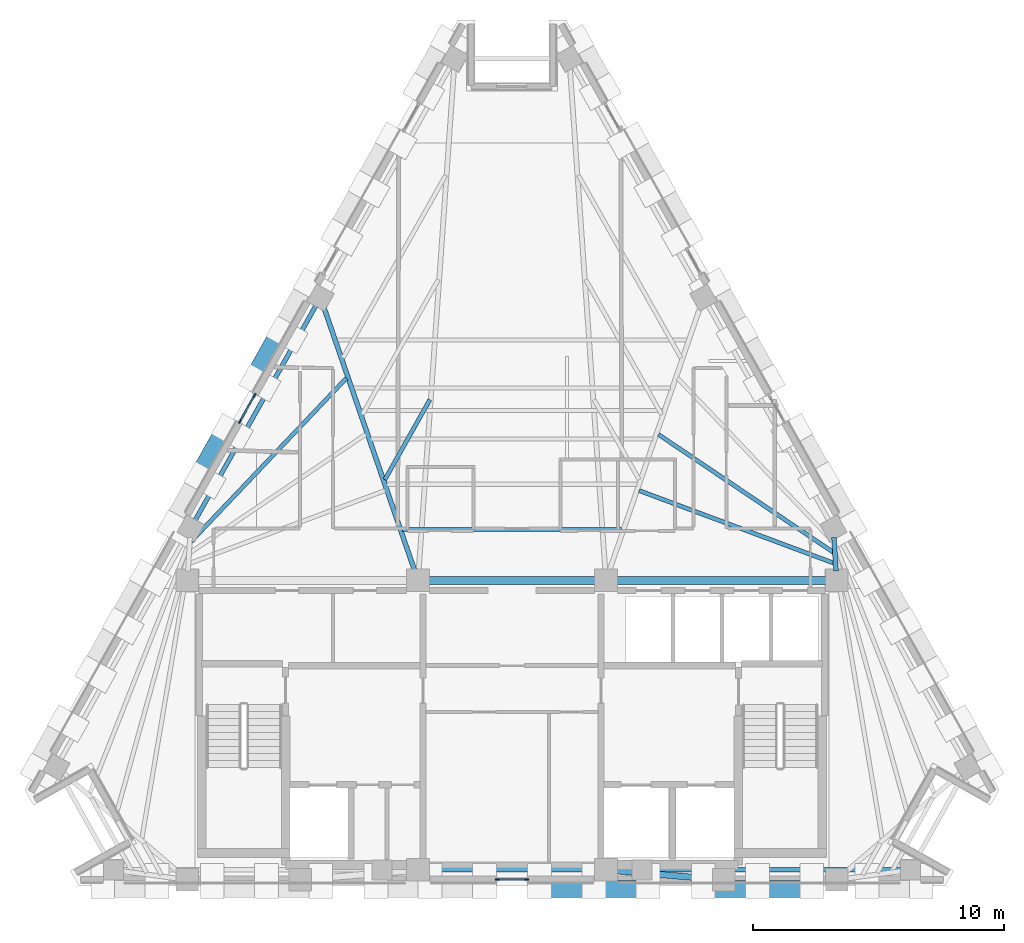
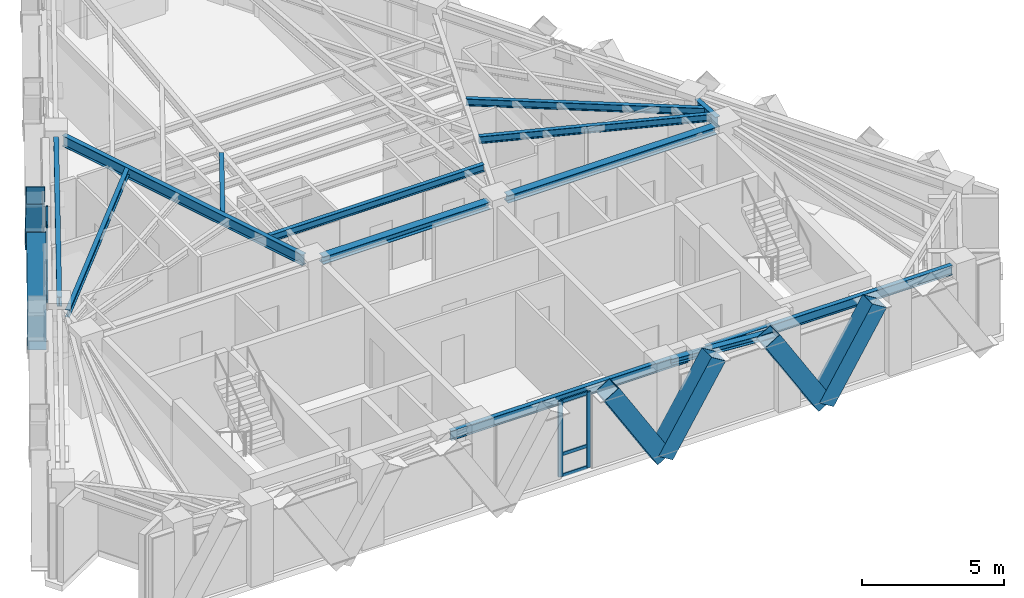
# One storey, part 2 of 9: 16 members, 13 beams, 2 elements without a shape of their own.
"""IFC4 building model written with IfcOpenShell, lengths in metres."""

from ifc_helpers import new_model, si_unit, direction, frame, origin, origin_2d, place, context, subcontext, project, spatial, rectangle, hollow_rectangle, i_section, extrude, material, material_profile, profile_set, type_object, element, aggregate, save


model = new_model("IFC4")

# Units and contexts
model_context = context("Model", 3, precision=1e-05, world=origin(), true_north=direction((0.0, 1.0)))
body_context = subcontext(model_context, "Body", "Model", "MODEL_VIEW")
ifc_project = project(units=[si_unit("LENGTHUNIT", "METRE"), si_unit("AREAUNIT", "SQUARE_METRE"), si_unit("VOLUMEUNIT", "CUBIC_METRE"), si_unit("PLANEANGLEUNIT", "RADIAN"), si_unit("MASSUNIT", "GRAM", prefix="KILO")], contexts=[model_context])

# Site, building, storey
site_placement = place(None, origin())
site = spatial("IfcSite", under=ifc_project, at=site_placement, CompositionType="ELEMENT")
building_placement = place(site_placement, origin())
building = spatial("IfcBuilding", under=site, at=building_placement, Name="Quenlor Broadcast Tower", CompositionType="ELEMENT")
storey_placement = place(building_placement, frame((0.0, 0.0, 239.39990234375)))
storey = spatial("IfcBuildingStorey", under=building, at=storey_placement, Name="L66", CompositionType="ELEMENT", Elevation=239.39990234375)

# Curtain wall, members
ifc_material_1 = material(Name="Architectural Terracotta and Low-E Glazing", Category="masonry")
curtain_wall_type = type_object("IfcCurtainWallType", Name="Unitised Terracotta Curtain Wall System Z5", PredefinedType="NOTDEFINED", material=ifc_material_1)
curtain_wall_1_placement = place(storey_placement, origin())
curtain_wall_1 = element("IfcCurtainWall", 1, at=curtain_wall_1_placement, inside=storey, type_object=curtain_wall_type, Name="L66 Curtain Wall CW5 (L66-S-G1)", PredefinedType="NOTDEFINED")
ifc_material_2 = material(Name="Aluminium 6063-T6", Category="aluminium")
ifc_material_profile_1 = material_profile(ifc_material_2, rectangle(XDim=0.06494140625, YDim=0.169921875, at=origin_2d()))
ifc_profile_set_1 = profile_set([ifc_material_profile_1], Name="Aluminium 6063-T6 MULL65x170")
member_type_1 = type_object("IfcMemberType", Name="CW5 Aluminium Mullion MULL_CW5", PredefinedType="MULLION", material=ifc_profile_set_1)
member_1_placement = place(storey_placement, frame((0.573974609375, -16.72509765625, 0.0), z_axis=(0.0, 0.0, 1.0), x_axis=(0.0, -1.0, 0.0)))
member_1 = element("IfcMember", 2, at=member_1_placement, type_object=member_type_1, Name="CW5 mullion 1", PredefinedType="MULLION", context=body_context, shape_type="SweptSolid", body=[
    extrude(rectangle(XDim=0.06494140625, YDim=0.169921875, at=origin_2d()), origin(), (0.0, 0.0, 1.0), 3.25),
])
member_2_placement = place(storey_placement, frame((-0.573974609375, -16.72509765625, 0.0), z_axis=(0.0, 0.0, 1.0), x_axis=(0.0, -1.0, 0.0)))
member_2 = element("IfcMember", 3, at=member_2_placement, type_object=member_type_1, Name="CW5 mullion 2", PredefinedType="MULLION", context=body_context, shape_type="SweptSolid", body=[
    extrude(rectangle(XDim=0.06494140625, YDim=0.169921875, at=origin_2d()), origin(), (0.0, 0.0, 1.0), 3.25),
])

curtain_wall_2_placement = place(storey_placement, origin())
curtain_wall_2 = element("IfcCurtainWall", 4, at=curtain_wall_2_placement, inside=storey, type_object=curtain_wall_type, Name="L66 Curtain Wall CW5 (L66-NW-G1)", PredefinedType="NOTDEFINED")
member_3_placement = place(storey_placement, frame((-10.853271484375, 1.54443359375, 0.0), z_axis=(0.0, 0.0, 1.0), x_axis=(-0.871592489955, 0.490231100048, 0.0)))
member_3 = element("IfcMember", 5, at=member_3_placement, type_object=member_type_1, Name="CW5 mullion 1", PredefinedType="MULLION", context=body_context, shape_type="SweptSolid", body=[
    extrude(rectangle(XDim=0.06494140625, YDim=0.169921875, at=origin_2d()), origin(), (0.0, 0.0, 1.0), 3.25),
])
member_4_placement = place(storey_placement, frame((-10.267333984375, 2.586181640625, 0.0), z_axis=(0.0, 0.0, 1.0), x_axis=(-0.871592489955, 0.490231100048, 0.0)))
member_4 = element("IfcMember", 6, at=member_4_placement, type_object=member_type_1, Name="CW5 mullion 2", PredefinedType="MULLION", context=body_context, shape_type="SweptSolid", body=[
    extrude(rectangle(XDim=0.06494140625, YDim=0.169921875, at=origin_2d()), origin(), (0.0, 0.0, 1.0), 3.25),
])

# Member
ifc_material_3 = material(Name="Aluminium 6063-T6", Category="aluminium")
ifc_material_profile_2 = material_profile(ifc_material_3, rectangle(XDim=0.06494140625, YDim=0.139892578125, at=origin_2d()))
ifc_profile_set_2 = profile_set([ifc_material_profile_2], Name="Aluminium 6063-T6 TRAN65x140")
member_type_2 = type_object("IfcMemberType", Name="CW5 Aluminium Transom TRAN_CW5", PredefinedType="USERDEFINED", material=ifc_profile_set_2)
member_5_placement = place(storey_placement, frame((0.54150390625, -16.72509765625, 0.03271484375), z_axis=(-1.0, 0.0, 0.0), x_axis=(0.0, -1.0, 0.0)))
member_5 = element("IfcMember", 7, at=member_5_placement, type_object=member_type_2, Name="CW5 transom 1.1", ObjectType="TRANSOM", PredefinedType="USERDEFINED", context=body_context, shape_type="SweptSolid", body=[
    extrude(rectangle(XDim=0.06494140625, YDim=0.139892578125, at=origin_2d()), origin(), (0.0, 0.0, 1.0), 1.0830078125),
])

member_6_placement = place(storey_placement, frame((0.54150390625, -16.72509765625, 0.9501953125), z_axis=(-1.0, 0.0, 0.0), x_axis=(0.0, -1.0, 0.0)))
member_6 = element("IfcMember", 8, at=member_6_placement, type_object=member_type_2, Name="CW5 transom 1.2", ObjectType="TRANSOM", PredefinedType="USERDEFINED", context=body_context, shape_type="SweptSolid", body=[
    extrude(rectangle(XDim=0.06494140625, YDim=0.139892578125, at=origin_2d()), origin(), (0.0, 0.0, 1.0), 1.0830078125),
])

member_7_placement = place(storey_placement, frame((0.54150390625, -16.72509765625, 3.217529296875), z_axis=(-1.0, 0.0, 0.0), x_axis=(0.0, -1.0, 0.0)))
member_7 = element("IfcMember", 9, at=member_7_placement, type_object=member_type_2, Name="CW5 transom 1.3", ObjectType="TRANSOM", PredefinedType="USERDEFINED", context=body_context, shape_type="SweptSolid", body=[
    extrude(rectangle(XDim=0.06494140625, YDim=0.139892578125, at=origin_2d()), origin(), (0.0, 0.0, 1.0), 1.0830078125),
])

aggregate(curtain_wall_1, [member_1, member_2, member_5, member_6, member_7])

member_8_placement = place(storey_placement, frame((-10.83740234375, 1.57275390625, 0.03271484375), z_axis=(0.490312513966, 0.871546693327, 0.0), x_axis=(-0.871546693327, 0.490312513966, 0.0)))
member_8 = element("IfcMember", 10, at=member_8_placement, type_object=member_type_2, Name="CW5 transom 1.1", ObjectType="TRANSOM", PredefinedType="USERDEFINED", context=body_context, shape_type="SweptSolid", body=[
    extrude(rectangle(XDim=0.06494140625, YDim=0.139892578125, at=origin_2d()), origin(), (0.0, 0.0, 1.0), 1.13037109375),
])

member_9_placement = place(storey_placement, frame((-10.83740234375, 1.57275390625, 0.9501953125), z_axis=(0.490312513966, 0.871546693327, 0.0), x_axis=(-0.871546693327, 0.490312513966, 0.0)))
member_9 = element("IfcMember", 11, at=member_9_placement, type_object=member_type_2, Name="CW5 transom 1.2", ObjectType="TRANSOM", PredefinedType="USERDEFINED", context=body_context, shape_type="SweptSolid", body=[
    extrude(rectangle(XDim=0.06494140625, YDim=0.139892578125, at=origin_2d()), origin(), (0.0, 0.0, 1.0), 1.13037109375),
])

member_10_placement = place(storey_placement, frame((-10.83740234375, 1.57275390625, 3.217529296875), z_axis=(0.490312513966, 0.871546693327, 0.0), x_axis=(-0.871546693327, 0.490312513966, 0.0)))
member_10 = element("IfcMember", 12, at=member_10_placement, type_object=member_type_2, Name="CW5 transom 1.3", ObjectType="TRANSOM", PredefinedType="USERDEFINED", context=body_context, shape_type="SweptSolid", body=[
    extrude(rectangle(XDim=0.06494140625, YDim=0.139892578125, at=origin_2d()), origin(), (0.0, 0.0, 1.0), 1.13037109375),
])

aggregate(curtain_wall_2, [member_3, member_4, member_8, member_9, member_10])

# Beams
ifc_material_4 = material(Name="Steel S355", Category="steel")
ifc_material_profile_3 = material_profile(ifc_material_4, i_section(OverallWidth=0.304931640625, OverallDepth=0.30810546875, WebThickness=0.010009765625, FlangeThickness=0.015380859375, FilletRadius=0.0166015625, at=origin_2d()))
ifc_profile_set_3 = profile_set([ifc_material_profile_3], Name="Steel S355 310UC96.8")
beam_type_1 = type_object("IfcBeamType", Name="Core Header Beam Steel S355 310UC96.8", PredefinedType="BEAM", material=ifc_profile_set_3)
beam_1_placement = place(storey_placement, frame((-3.389892578125, -4.800048828125, 3.09619140625), z_axis=(1.0, 0.0, 0.0), x_axis=(0.0, 1.0, 0.0)))
element("IfcBeam", 13, at=beam_1_placement, inside=storey, type_object=beam_type_1, Name="L66 Core Header Beam 2", PredefinedType="BEAM", context=body_context, shape_type="SweptSolid", body=[
    extrude(i_section(OverallWidth=0.304931640625, OverallDepth=0.30810546875, WebThickness=0.010009765625, FlangeThickness=0.015380859375, FilletRadius=0.0166015625, at=origin_2d()), origin(), (0.0, 0.0, 1.0), 6.77978515625),
])
ifc_material_5 = material(Name="Steel S355", Category="steel")
ifc_material_profile_4 = material_profile(ifc_material_5, i_section(OverallWidth=0.25390625, OverallDepth=0.25390625, WebThickness=0.008544921875, FlangeThickness=0.01416015625, FilletRadius=0.013916015625, at=origin_2d()))
ifc_profile_set_4 = profile_set([ifc_material_profile_4], Name="Steel S355 250UC72.9")
beam_type_2 = type_object("IfcBeamType", Name="Core Opening Lintel Beam Steel S355 250UC72.9", PredefinedType="LINTEL", material=ifc_profile_set_4)
beam_2_placement = place(storey_placement, frame((4.108642578125, -16.380615234375, 3.123291015625), z_axis=(0.996399763903, -0.084779186679, 0.0), x_axis=(0.084779186679, 0.996399763903, 0.0)))
element("IfcBeam", 14, at=beam_2_placement, inside=storey, type_object=beam_type_2, Name="L66 Core Opening Lintel Beam 5", PredefinedType="LINTEL", context=body_context, shape_type="SweptSolid", body=[
    extrude(i_section(OverallWidth=0.25390625, OverallDepth=0.25390625, WebThickness=0.008544921875, FlangeThickness=0.01416015625, FilletRadius=0.013916015625, at=origin_2d()), origin(), (0.0, 0.0, 1.0), 3.9970703125),
])
ifc_material_6 = material(Name="Steel S355", Category="steel")
ifc_material_profile_5 = material_profile(ifc_material_6, i_section(OverallWidth=0.306884765625, OverallDepth=0.314697265625, WebThickness=0.011962890625, FlangeThickness=0.018798828125, FilletRadius=0.0166015625, at=origin_2d()))
ifc_profile_set_5 = profile_set([ifc_material_profile_5], Name="Steel S355 310UC118")
beam_type_3 = type_object("IfcBeamType", Name="Core Tie Beam Steel S355 310UC118", PredefinedType="BEAM", material=ifc_profile_set_5)
beam_3_placement = place(storey_placement, frame((4.110107421875, -4.800048828125, 3.0927734375), z_axis=(1.0, 0.0, 0.0), x_axis=(0.0, 1.0, 0.0)))
element("IfcBeam", 15, at=beam_3_placement, inside=storey, type_object=beam_type_3, Name="L66 Core Tie Beam 3", PredefinedType="BEAM", context=body_context, shape_type="SweptSolid", body=[
    extrude(i_section(OverallWidth=0.306884765625, OverallDepth=0.314697265625, WebThickness=0.011962890625, FlangeThickness=0.018798828125, FilletRadius=0.0166015625, at=origin_2d()), origin(), (0.0, 0.0, 1.0), 8.47998046875),
])

# Members
ifc_material_7 = material(Name="Steel S355", Category="steel")
ifc_material_profile_6 = material_profile(ifc_material_7, hollow_rectangle(XDim=0.679931640625, YDim=0.679931640625, WallThickness=0.02001953125, at=origin_2d()))
ifc_profile_set_6 = profile_set([ifc_material_profile_6], Name="Steel S355 RHS680x680x20")
member_type_3 = type_object("IfcMemberType", Name="Perimeter Diagonal Lattice Brace Z5-Crown Steel S355 RHS680x20", PredefinedType="BRACE", material=ifc_profile_set_6)
member_11_placement = place(storey_placement, frame((9.81103515625, -17.1201171875, -0.119873046875), z_axis=(0.5236596973, 0.0, 0.851927532965), x_axis=(0.0, 1.0, 0.0)))
element("IfcMember", 16, at=member_11_placement, inside=storey, type_object=member_type_3, Name="L66 Perimeter Diamond Lattice S-C1B", PredefinedType="BRACE", context=body_context, shape_type="SweptSolid", body=[
    extrude(hollow_rectangle(XDim=0.679931640625, YDim=0.679931640625, WallThickness=0.02001953125, at=origin_2d()), origin(), (0.0, 0.0, 1.0), 4.1083984375),
])
member_12_placement = place(storey_placement, frame((9.784912109375, -17.1201171875, -0.119873046875), z_axis=(-0.523616565236, 0.0, 0.85195404372), x_axis=(0.0, -1.0, 0.0)))
element("IfcMember", 17, at=member_12_placement, inside=storey, type_object=member_type_3, Name="L66 Perimeter Diamond Lattice S-C2S", PredefinedType="BRACE", context=body_context, shape_type="SweptSolid", body=[
    extrude(hollow_rectangle(XDim=0.679931640625, YDim=0.679931640625, WallThickness=0.02001953125, at=origin_2d()), origin(), (0.0, 0.0, 1.0), 4.108154296875),
])
member_13_placement = place(storey_placement, frame((3.279052734375, -17.1201171875, -0.119873046875), z_axis=(0.5236596973, 0.0, 0.851927532965), x_axis=(0.0, 1.0, 0.0)))
element("IfcMember", 18, at=member_13_placement, inside=storey, type_object=member_type_3, Name="L66 Perimeter Diamond Lattice S-C2B", PredefinedType="BRACE", context=body_context, shape_type="SweptSolid", body=[
    extrude(hollow_rectangle(XDim=0.679931640625, YDim=0.679931640625, WallThickness=0.02001953125, at=origin_2d()), origin(), (0.0, 0.0, 1.0), 4.1083984375),
])
member_14_placement = place(storey_placement, frame((3.2529296875, -17.1201171875, -0.119873046875), z_axis=(-0.523616565236, 0.0, 0.85195404372), x_axis=(0.0, -1.0, 0.0)))
element("IfcMember", 19, at=member_14_placement, inside=storey, type_object=member_type_3, Name="L66 Perimeter Diamond Lattice S-C3S", PredefinedType="BRACE", context=body_context, shape_type="SweptSolid", body=[
    extrude(hollow_rectangle(XDim=0.679931640625, YDim=0.679931640625, WallThickness=0.02001953125, at=origin_2d()), origin(), (0.0, 0.0, 1.0), 4.108154296875),
])
for number, where, z_axis, x_axis, name in (
    (20, (-12.532958984375, -0.635986328125, -0.119873046875), (0.260618804175, 0.463276364439, 0.847025884529), (-0.8715547569, 0.490298180422, 0.0), "L66 Perimeter Diamond Lattice NW-C3S"),
    (21, (-9.2763671875, 5.153564453125, -0.119873046875), (-0.260563732169, -0.463283497491, 0.847038926161), (0.871602253711, -0.49021374045, 0.0), "L66 Perimeter Diamond Lattice NW-C3B"),
):
    element("IfcMember", number, at=place(storey_placement, frame(where, z_axis=z_axis, x_axis=x_axis)), inside=storey, type_object=member_type_3, Name=name, PredefinedType="BRACE", context=body_context, shape_type="SweptSolid", body=[
        extrude(hollow_rectangle(XDim=0.679931640625, YDim=0.679931640625, WallThickness=0.02001953125, at=origin_2d()), origin(), (0.0, 0.0, 1.0), 4.132080078125),
    ])

# Beams
ifc_material_8 = material(Name="Steel S355", Category="steel")
ifc_material_profile_7 = material_profile(ifc_material_8, i_section(OverallWidth=0.177978515625, OverallDepth=0.406494140625, WebThickness=0.0078125, FlangeThickness=0.0126953125, FilletRadius=0.011474609375, at=origin_2d()))
ifc_profile_set_7 = profile_set([ifc_material_profile_7], Name="Steel S355 410UB59.7")
beam_type_4 = type_object("IfcBeamType", Name="Perimeter Spandrel Beam Z5 Steel S355 410UB59.7", PredefinedType="SPANDREL", material=ifc_profile_set_7)
beam_4_placement = place(storey_placement, frame((-4.823974609375, -16.35009765625, 3.046875), z_axis=(1.0, 0.0, 0.0), x_axis=(0.0, 1.0, 0.0)))
element("IfcBeam", 22, at=beam_4_placement, inside=storey, type_object=beam_type_4, Name="L66 Spandrel Beam S2-S3", PredefinedType="SPANDREL", context=body_context, shape_type="SweptSolid", body=[
    extrude(i_section(OverallWidth=0.177978515625, OverallDepth=0.406494140625, WebThickness=0.0078125, FlangeThickness=0.0126953125, FilletRadius=0.011474609375, at=origin_2d()), origin(), (0.0, 0.0, 1.0), 9.64794921875),
])
beam_5_placement = place(storey_placement, frame((5.5439453125, -16.35009765625, 3.046875), z_axis=(1.0, 0.0, 0.0), x_axis=(0.0, 1.0, 0.0)))
element("IfcBeam", 23, at=beam_5_placement, inside=storey, type_object=beam_type_4, Name="L66 Spandrel Beam S3-S4", PredefinedType="SPANDREL", context=body_context, shape_type="SweptSolid", body=[
    extrude(i_section(OverallWidth=0.177978515625, OverallDepth=0.406494140625, WebThickness=0.0078125, FlangeThickness=0.0126953125, FilletRadius=0.011474609375, at=origin_2d()), origin(), (0.0, 0.0, 1.0), 9.99365234375),
])
beam_6_placement = place(storey_placement, frame((-7.818115234375, 6.175537109375, 3.046875), z_axis=(-0.49024947634, -0.871582153872, 0.0), x_axis=(0.871582153872, -0.49024947634, 0.0)))
element("IfcBeam", 24, at=beam_6_placement, inside=storey, type_object=beam_type_4, Name="L66 Spandrel Beam NW2-NW3", PredefinedType="SPANDREL", context=body_context, shape_type="SweptSolid", body=[
    extrude(i_section(OverallWidth=0.177978515625, OverallDepth=0.406494140625, WebThickness=0.0078125, FlangeThickness=0.0126953125, FilletRadius=0.011474609375, at=origin_2d()), origin(), (0.0, 0.0, 1.0), 9.853759765625),
])
ifc_material_9 = material(Name="Steel S355", Category="steel")
ifc_material_profile_8 = material_profile(ifc_material_9, i_section(OverallWidth=0.166015625, OverallDepth=0.30712890625, WebThickness=0.006591796875, FlangeThickness=0.01171875, FilletRadius=0.011474609375, at=origin_2d()))
ifc_profile_set_8 = profile_set([ifc_material_profile_8], Name="Steel S355 310UB46.2")
beam_type_5 = type_object("IfcBeamType", Name="Tower Composite Joist Z4-Z5 Steel S355 310UB46.2", PredefinedType="JOIST", material=ifc_profile_set_8)
beam_7_placement = place(storey_placement, frame((-4.37060546875, -2.767822265625, 3.096435546875), z_axis=(1.0, 0.0, 0.0), x_axis=(0.0, 1.0, 0.0)))
element("IfcBeam", 25, at=beam_7_placement, inside=storey, type_object=beam_type_5, Name="L66 Secondary Composite Joist 1", PredefinedType="JOIST", context=body_context, shape_type="SweptSolid", body=[
    extrude(i_section(OverallWidth=0.166015625, OverallDepth=0.30712890625, WebThickness=0.006591796875, FlangeThickness=0.01171875, FilletRadius=0.011474609375, at=origin_2d()), origin(), (0.0, 0.0, 1.0), 8.7412109375),
])
beam_8_placement = place(storey_placement, frame((-12.80517578125, -3.249267578125, 3.096435546875), z_axis=(0.689023306429, 0.724739182877, 0.0), x_axis=(-0.724739182877, 0.689023306429, 0.0)))
element("IfcBeam", 26, at=beam_8_placement, inside=storey, type_object=beam_type_5, Name="L66 Secondary Composite Joist 9", PredefinedType="JOIST", context=body_context, shape_type="SweptSolid", body=[
    extrude(i_section(OverallWidth=0.166015625, OverallDepth=0.30712890625, WebThickness=0.006591796875, FlangeThickness=0.01171875, FilletRadius=0.011474609375, at=origin_2d()), origin(), (0.0, 0.0, 1.0), 8.99560546875),
])
beam_9_placement = place(storey_placement, frame((12.835205078125, -4.108642578125, 3.096435546875), z_axis=(-0.937062080226, 0.349162795559, 0.0), x_axis=(-0.349162795559, -0.937062080226, 0.0)))
element("IfcBeam", 27, at=beam_9_placement, inside=storey, type_object=beam_type_5, Name="L66 Secondary Composite Joist 10", PredefinedType="JOIST", context=body_context, shape_type="SweptSolid", body=[
    extrude(i_section(OverallWidth=0.166015625, OverallDepth=0.30712890625, WebThickness=0.006591796875, FlangeThickness=0.01171875, FilletRadius=0.011474609375, at=origin_2d()), origin(), (0.0, 0.0, 1.0), 8.286376953125),
])
beam_10_placement = place(storey_placement, frame((12.81884765625, -3.67724609375, 3.096435546875), z_axis=(-0.829286301475, 0.558823970661, 0.0), x_axis=(-0.558823970661, -0.829286301475, 0.0)))
element("IfcBeam", 28, at=beam_10_placement, inside=storey, type_object=beam_type_5, Name="L66 Secondary Composite Joist 11", PredefinedType="JOIST", context=body_context, shape_type="SweptSolid", body=[
    extrude(i_section(OverallWidth=0.166015625, OverallDepth=0.30712890625, WebThickness=0.006591796875, FlangeThickness=0.01171875, FilletRadius=0.011474609375, at=origin_2d()), origin(), (0.0, 0.0, 1.0), 8.415771484375),
])
beam_11_placement = place(storey_placement, frame((-3.2763671875, 2.41455078125, 3.096435546875), z_axis=(-0.490258076222, -0.871577316535, 0.0), x_axis=(0.871577316535, -0.490258076222, 0.0)))
element("IfcBeam", 29, at=beam_11_placement, inside=storey, type_object=beam_type_5, Name="L66 Secondary Composite Joist 25", PredefinedType="JOIST", context=body_context, shape_type="SweptSolid", body=[
    extrude(i_section(OverallWidth=0.166015625, OverallDepth=0.30712890625, WebThickness=0.006591796875, FlangeThickness=0.01171875, FilletRadius=0.011474609375, at=origin_2d()), origin(), (0.0, 0.0, 1.0), 3.6640625),
])
ifc_material_10 = material(Name="Steel S355", Category="steel")
ifc_material_profile_9 = material_profile(ifc_material_10, i_section(OverallWidth=0.19091796875, OverallDepth=0.46044921875, WebThickness=0.010009765625, FlangeThickness=0.01611328125, FilletRadius=0.011474609375, at=origin_2d()))
ifc_profile_set_9 = profile_set([ifc_material_profile_9], Name="Steel S355 460UB82.1")
beam_type_6 = type_object("IfcBeamType", Name="Tower Primary Floor Beam Z5 Steel S355 460UB82.1", PredefinedType="BEAM", material=ifc_profile_set_9)
beam_12_placement = place(storey_placement, frame((12.84716796875, -3.086181640625, 3.02001953125), z_axis=(0.059899569349, -0.998204408722, 0.0), x_axis=(0.998204408722, 0.059899569349, 0.0)))
element("IfcBeam", 30, at=beam_12_placement, inside=storey, type_object=beam_type_6, Name="L66 Primary Radial Beam NE2", PredefinedType="BEAM", context=body_context, shape_type="SweptSolid", body=[
    extrude(i_section(OverallWidth=0.19091796875, OverallDepth=0.46044921875, WebThickness=0.010009765625, FlangeThickness=0.01611328125, FilletRadius=0.011474609375, at=origin_2d()), origin(), (0.0, 0.0, 1.0), 1.3369140625),
])
beam_13_placement = place(storey_placement, frame((-7.524169921875, 6.14892578125, 3.02001953125), z_axis=(0.325895297662, -0.945405867848, 0.0), x_axis=(0.945405867848, 0.325895297662, 0.0)))
element("IfcBeam", 31, at=beam_13_placement, inside=storey, type_object=beam_type_6, Name="L66 Primary Radial Beam NW2", PredefinedType="BEAM", context=body_context, shape_type="SweptSolid", body=[
    extrude(i_section(OverallWidth=0.19091796875, OverallDepth=0.46044921875, WebThickness=0.010009765625, FlangeThickness=0.01611328125, FilletRadius=0.011474609375, at=origin_2d()), origin(), (0.0, 0.0, 1.0), 11.201171875),
])

save(model, "model.ifc")
